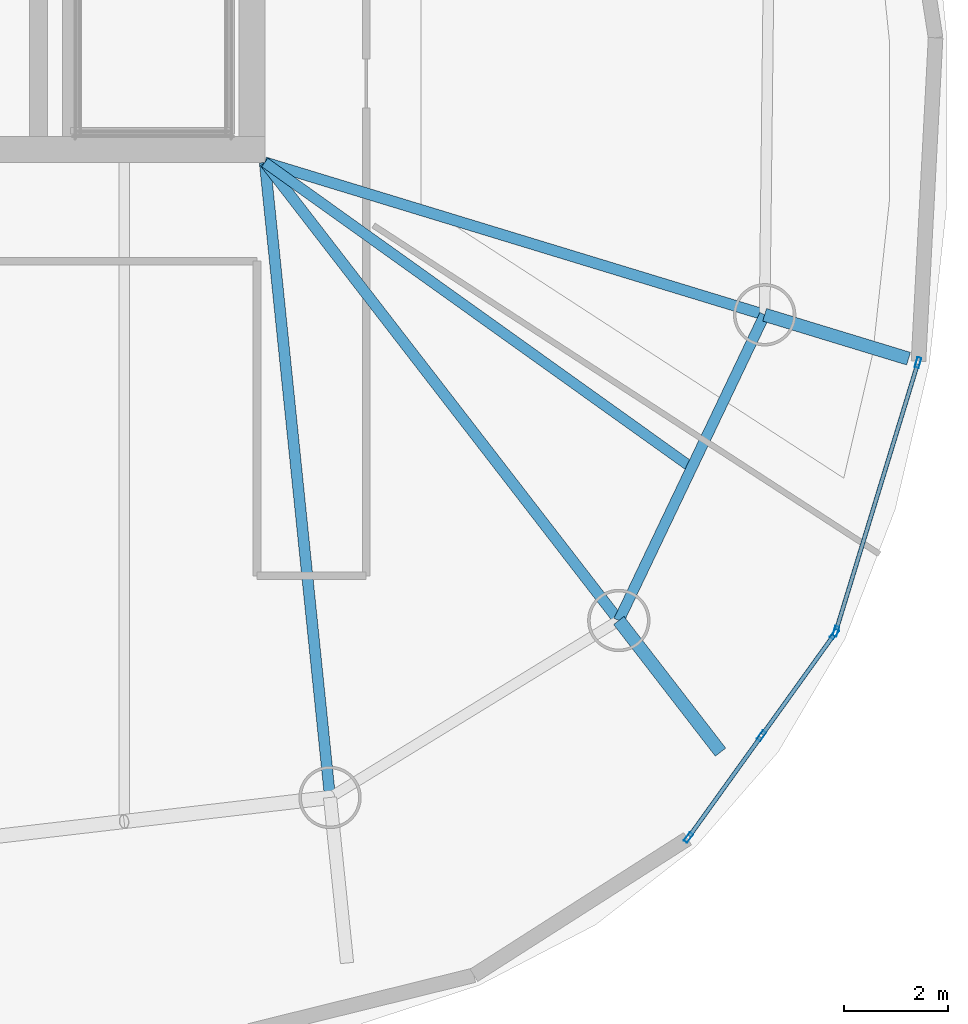
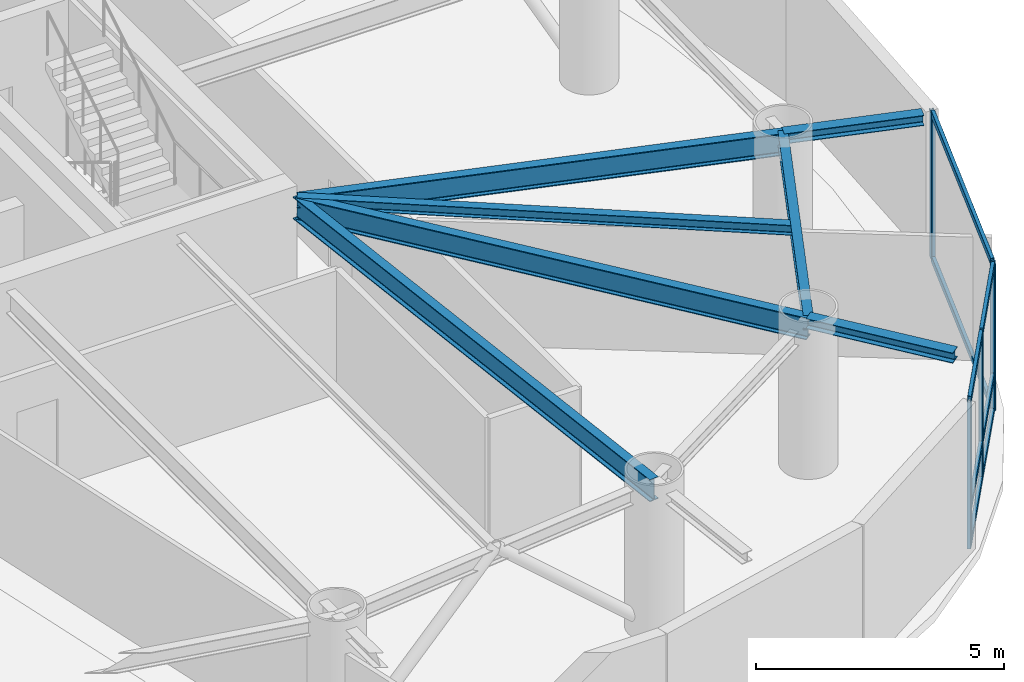
# One storey, part 5 of 19: 13 members, 7 beams, 2 elements without a shape of their own.
"""IFC4 building model written with IfcOpenShell, lengths in metres."""

from ifc_helpers import new_model, si_unit, direction, frame, origin, origin_2d, place, context, subcontext, project, spatial, hollow_rectangle, i_section, extrude, material, layer, layer_set, material_profile, profile_set, type_object, element, aggregate, save


model = new_model("IFC4")

# Units and contexts
model_context = context("Model", 3, precision=1e-05, world=origin(), true_north=direction((0.0, 1.0)))
body_context = subcontext(model_context, "Body", "Model", "MODEL_VIEW")
ifc_project = project(units=[si_unit("LENGTHUNIT", "METRE"), si_unit("AREAUNIT", "SQUARE_METRE"), si_unit("VOLUMEUNIT", "CUBIC_METRE"), si_unit("PLANEANGLEUNIT", "RADIAN"), si_unit("MASSUNIT", "GRAM", prefix="KILO")], contexts=[model_context])

# Site, building, storey
site_placement = place(None, origin())
site = spatial("IfcSite", under=ifc_project, at=site_placement, CompositionType="ELEMENT")
building_placement = place(site_placement, origin())
building = spatial("IfcBuilding", under=site, at=building_placement, Name="Bramvorn Convention Spire", CompositionType="ELEMENT")
storey_placement = place(building_placement, frame((0.0, 0.0, 217.39990234375)))
storey = spatial("IfcBuildingStorey", under=building, at=storey_placement, Name="L55", CompositionType="ELEMENT", Elevation=217.39990234375)

# Beams
ifc_material_1 = material(Name="Steel CSA G40.21 Grade 350 (350W)", Category="steel")
ifc_material_profile_1 = material_profile(ifc_material_1, i_section(OverallWidth=0.201904296875, OverallDepth=0.2470703125, WebThickness=0.00732421875, FlangeThickness=0.010986328125, FilletRadius=0.011962890625, at=origin_2d()))
ifc_profile_set_1 = profile_set([ifc_material_profile_1], Name="Steel CSA G40.21 Grade 350 (350W) - W250X49")
beam_type_1 = type_object("IfcBeamType", Name="BM-W250X49", PredefinedType="JOIST", material=ifc_profile_set_1)
beam_1_placement = place(storey_placement, frame((49.25, 18.550048828125, 3.49658203125), z_axis=(0.813471895271, -0.581604225916, 0.0), x_axis=(0.581604225916, 0.813471895271, 0.0)))
element("IfcBeam", 1, at=beam_1_placement, inside=storey, type_object=beam_type_1, Name="L55 composite floor joist 01", PredefinedType="JOIST", context=body_context, shape_type="SweptSolid", body=[
    extrude(i_section(OverallWidth=0.201904296875, OverallDepth=0.2470703125, WebThickness=0.00732421875, FlangeThickness=0.010986328125, FilletRadius=0.011962890625, at=origin_2d()), origin(), (0.0, 0.0, 1.0), 10.093505859375),
])
ifc_material_profile_2 = material_profile(ifc_material_1, i_section(OverallWidth=0.25390625, OverallDepth=0.2529296875, WebThickness=0.008544921875, FlangeThickness=0.01416015625, FilletRadius=0.011962890625, at=origin_2d()))
ifc_profile_set_2 = profile_set([ifc_material_profile_2], Name="Steel CSA G40.21 Grade 350 (350W) - W250X73")
beam_type_2 = type_object("IfcBeamType", Name="BM-W250X73", PredefinedType="BEAM", material=ifc_profile_set_2)
beam_2_placement = place(storey_placement, frame((56.058349609375, 9.739990234375, 3.49365234375), z_axis=(0.611497441422, -0.791246408607, 0.0), x_axis=(0.791246408607, 0.611497441422, 0.0)))
element("IfcBeam", 2, at=beam_2_placement, inside=storey, type_object=beam_type_2, Name="L55 slab-edge cantilever tip beam MC01", PredefinedType="BEAM", context=body_context, shape_type="SweptSolid", body=[
    extrude(i_section(OverallWidth=0.25390625, OverallDepth=0.2529296875, WebThickness=0.008544921875, FlangeThickness=0.01416015625, FilletRadius=0.011962890625, at=origin_2d()), origin(), (0.0, 0.0, 1.0), 3.199951171875),
])
beam_3_placement = place(storey_placement, frame((58.863037109375, 15.619384765625, 3.49365234375), z_axis=(0.956549140292, -0.291571161479, 0.0), x_axis=(0.291571161479, 0.956549140292, 0.0)))
element("IfcBeam", 3, at=beam_3_placement, inside=storey, type_object=beam_type_2, Name="L55 slab-edge cantilever tip beam MC02", PredefinedType="BEAM", context=body_context, shape_type="SweptSolid", body=[
    extrude(i_section(OverallWidth=0.25390625, OverallDepth=0.2529296875, WebThickness=0.008544921875, FlangeThickness=0.01416015625, FilletRadius=0.011962890625, at=origin_2d()), origin(), (0.0, 0.0, 1.0), 2.893798828125),
])
ifc_material_profile_3 = material_profile(ifc_material_1, i_section(OverallWidth=0.205078125, OverallDepth=0.35400390625, WebThickness=0.009521484375, FlangeThickness=0.016845703125, FilletRadius=0.014892578125, at=origin_2d()))
ifc_profile_set_3 = profile_set([ifc_material_profile_3], Name="Steel CSA G40.21 Grade 350 (350W) - W360X79")
beam_type_3 = type_object("IfcBeamType", Name="BM-W360X79", PredefinedType="JOIST", material=ifc_profile_set_3)
beam_4_placement = place(storey_placement, frame((56.058349609375, 9.739990234375, 3.443115234375), z_axis=(0.430556138422, 0.902563799223, 0.0), x_axis=(-0.902563799223, 0.430556138422, 0.0)))
element("IfcBeam", 4, at=beam_4_placement, inside=storey, type_object=beam_type_3, Name="L55 mega-column ring beam 01", PredefinedType="JOIST", context=body_context, shape_type="SweptSolid", body=[
    extrude(i_section(OverallWidth=0.205078125, OverallDepth=0.35400390625, WebThickness=0.009521484375, FlangeThickness=0.016845703125, FilletRadius=0.014892578125, at=origin_2d()), origin(), (0.0, 0.0, 1.0), 6.51416015625),
])
ifc_material_profile_4 = material_profile(ifc_material_1, i_section(OverallWidth=0.2119140625, OverallDepth=0.5439453125, WebThickness=0.01318359375, FlangeThickness=0.021240234375, FilletRadius=0.01904296875, at=origin_2d()))
ifc_profile_set_4 = profile_set([ifc_material_profile_4], Name="Steel CSA G40.21 Grade 350 (350W) - W530X123")
beam_type_4 = type_object("IfcBeamType", Name="BM-W530X123", PredefinedType="BEAM", material=ifc_profile_set_4)
beam_5_placement = place(storey_placement, frame((49.25, 18.550048828125, 3.34814453125), z_axis=(0.611479951477, -0.791259925019, 0.0), x_axis=(0.791259925019, 0.611479951477, 0.0)))
element("IfcBeam", 5, at=beam_5_placement, inside=storey, type_object=beam_type_4, Name="L55 radial floor girder MC01", PredefinedType="BEAM", context=body_context, shape_type="SweptSolid", body=[
    extrude(i_section(OverallWidth=0.2119140625, OverallDepth=0.5439453125, WebThickness=0.01318359375, FlangeThickness=0.021240234375, FilletRadius=0.01904296875, at=origin_2d()), origin(), (0.0, 0.0, 1.0), 11.13427734375),
])
beam_6_placement = place(storey_placement, frame((49.25, 18.550048828125, 3.34814453125), z_axis=(0.95653637984, -0.291613021044, 0.0), x_axis=(0.291613021044, 0.95653637984, 0.0)))
element("IfcBeam", 6, at=beam_6_placement, inside=storey, type_object=beam_type_4, Name="L55 radial floor girder MC02", PredefinedType="BEAM", context=body_context, shape_type="SweptSolid", body=[
    extrude(i_section(OverallWidth=0.2119140625, OverallDepth=0.5439453125, WebThickness=0.01318359375, FlangeThickness=0.021240234375, FilletRadius=0.01904296875, at=origin_2d()), origin(), (0.0, 0.0, 1.0), 10.0498046875),
])
beam_7_placement = place(storey_placement, frame((49.25, 18.550048828125, 3.34814453125), z_axis=(0.10216509146, -0.994767457292, 0.0), x_axis=(0.994767457292, 0.10216509146, 0.0)))
element("IfcBeam", 7, at=beam_7_placement, inside=storey, type_object=beam_type_4, Name="L55 radial floor girder MC16", PredefinedType="BEAM", context=body_context, shape_type="SweptSolid", body=[
    extrude(i_section(OverallWidth=0.2119140625, OverallDepth=0.5439453125, WebThickness=0.01318359375, FlangeThickness=0.021240234375, FilletRadius=0.01904296875, at=origin_2d()), origin(), (0.0, 0.0, 1.0), 12.278076171875),
])

# Curtain wall, members
ifc_material_2 = material(Name="Anodised Bronze Unitised Curtain Wall", Category="aluminium")
ifc_layer = layer(ifc_material_2, 0.179931640625)
ifc_layer_set = layer_set([ifc_layer], Name="Anodised Bronze Unitised Curtain Wall - CW-OFF-FRIT")
curtain_wall_type = type_object("IfcCurtainWallType", Name="CW-OFF-FRIT", PredefinedType="USERDEFINED", material=ifc_layer_set)
curtain_wall_1_placement = place(storey_placement, origin())
curtain_wall_1 = element("IfcCurtainWall", 8, at=curtain_wall_1_placement, inside=storey, type_object=curtain_wall_type, Name="L55 fritted glass curtain wall 01", ObjectType="UNITISED CURTAIN WALL", PredefinedType="USERDEFINED")
ifc_material_3 = material(Name="Anodised Bronze Aluminium 6063-T6", Category="aluminium")
ifc_material_profile_5 = material_profile(ifc_material_3, hollow_rectangle(XDim=0.080078125, YDim=0.199951171875, WallThickness=0.00390625, InnerFilletRadius=0.0009765625, OuterFilletRadius=0.00390625, at=origin_2d()))
ifc_profile_set_5 = profile_set([ifc_material_profile_5], Name="Anodised Bronze Aluminium 6063-T6 - CWM80X200")
member_type_1 = type_object("IfcMemberType", Name="CW-MUL-180", PredefinedType="MULLION", material=ifc_profile_set_5)
member_1_placement = place(storey_placement, frame((60.206787109375, 9.478515625, 0.0), z_axis=(0.0, 0.0, 1.0), x_axis=(0.812260702788, -0.583294565984, 0.0)))
member_1 = element("IfcMember", 9, at=member_1_placement, type_object=member_type_1, Name="CW3 mullion 1", PredefinedType="MULLION", context=body_context, shape_type="SweptSolid", body=[
    extrude(hollow_rectangle(XDim=0.080078125, YDim=0.199951171875, WallThickness=0.00390625, InnerFilletRadius=0.0009765625, OuterFilletRadius=0.00390625, at=origin_2d()), origin(), (0.0, 0.0, 1.0), 3.6201171875),
])
member_2_placement = place(storey_placement, frame((58.80224609375, 7.5224609375, 0.0), z_axis=(0.0, 0.0, 1.0), x_axis=(0.812260702788, -0.583294565984, 0.0)))
member_2 = element("IfcMember", 10, at=member_2_placement, type_object=member_type_1, Name="CW3 mullion 2", PredefinedType="MULLION", context=body_context, shape_type="SweptSolid", body=[
    extrude(hollow_rectangle(XDim=0.080078125, YDim=0.199951171875, WallThickness=0.00390625, InnerFilletRadius=0.0009765625, OuterFilletRadius=0.00390625, at=origin_2d()), origin(), (0.0, 0.0, 1.0), 3.6201171875),
])
member_3_placement = place(storey_placement, frame((57.3974609375, 5.56640625, 0.0), z_axis=(0.0, 0.0, 1.0), x_axis=(0.812260702788, -0.583294565984, 0.0)))
member_3 = element("IfcMember", 11, at=member_3_placement, type_object=member_type_1, Name="CW3 mullion 3", PredefinedType="MULLION", context=body_context, shape_type="SweptSolid", body=[
    extrude(hollow_rectangle(XDim=0.080078125, YDim=0.199951171875, WallThickness=0.00390625, InnerFilletRadius=0.0009765625, OuterFilletRadius=0.00390625, at=origin_2d()), origin(), (0.0, 0.0, 1.0), 3.6201171875),
])

curtain_wall_2_placement = place(storey_placement, origin())
curtain_wall_2 = element("IfcCurtainWall", 12, at=curtain_wall_2_placement, inside=storey, type_object=curtain_wall_type, Name="L55 fritted glass curtain wall 02", ObjectType="UNITISED CURTAIN WALL", PredefinedType="USERDEFINED")
member_4_placement = place(storey_placement, frame((61.81298828125, 14.699951171875, 0.0), z_axis=(0.0, 0.0, 1.0), x_axis=(0.956321023375, -0.29231849112, 0.0)))
member_4 = element("IfcMember", 13, at=member_4_placement, type_object=member_type_1, Name="CW3 mullion 1", PredefinedType="MULLION", context=body_context, shape_type="SweptSolid", body=[
    extrude(hollow_rectangle(XDim=0.080078125, YDim=0.199951171875, WallThickness=0.00390625, InnerFilletRadius=0.0009765625, OuterFilletRadius=0.00390625, at=origin_2d()), origin(), (0.0, 0.0, 1.0), 3.6201171875),
])
member_5_placement = place(storey_placement, frame((60.233154296875, 9.531494140625, 0.0), z_axis=(0.0, 0.0, 1.0), x_axis=(0.956321023375, -0.29231849112, 0.0)))
member_5 = element("IfcMember", 14, at=member_5_placement, type_object=member_type_1, Name="CW3 mullion 2", PredefinedType="MULLION", context=body_context, shape_type="SweptSolid", body=[
    extrude(hollow_rectangle(XDim=0.080078125, YDim=0.199951171875, WallThickness=0.00390625, InnerFilletRadius=0.0009765625, OuterFilletRadius=0.00390625, at=origin_2d()), origin(), (0.0, 0.0, 1.0), 3.6201171875),
])

# Member
ifc_material_profile_6 = material_profile(ifc_material_3, hollow_rectangle(XDim=0.080078125, YDim=0.159912109375, WallThickness=0.00390625, InnerFilletRadius=0.0009765625, OuterFilletRadius=0.00390625, at=origin_2d()))
ifc_profile_set_6 = profile_set([ifc_material_profile_6], Name="Anodised Bronze Aluminium 6063-T6 - CWT80X160")
member_type_2 = type_object("IfcMemberType", Name="CW-TRN-150", PredefinedType="USERDEFINED", material=ifc_profile_set_6)
member_6_placement = place(storey_placement, frame((60.189208984375, 9.4541015625, 0.030029296875), z_axis=(-0.58330177785, -0.812255523808, 0.0), x_axis=(0.812255523808, -0.58330177785, 0.0)))
member_6 = element("IfcMember", 15, at=member_6_placement, type_object=member_type_2, Name="CW3 transom 1.1", ObjectType="TRANSOM", PredefinedType="USERDEFINED", context=body_context, shape_type="SweptSolid", body=[
    extrude(hollow_rectangle(XDim=0.080078125, YDim=0.159912109375, WallThickness=0.00390625, InnerFilletRadius=0.0009765625, OuterFilletRadius=0.00390625, at=origin_2d()), origin(), (0.0, 0.0, 1.0), 2.34814453125),
])

member_7_placement = place(storey_placement, frame((60.189208984375, 9.4541015625, 0.900146484375), z_axis=(-0.58330177785, -0.812255523808, 0.0), x_axis=(0.812255523808, -0.58330177785, 0.0)))
member_7 = element("IfcMember", 16, at=member_7_placement, type_object=member_type_2, Name="CW3 transom 1.2", ObjectType="TRANSOM", PredefinedType="USERDEFINED", context=body_context, shape_type="SweptSolid", body=[
    extrude(hollow_rectangle(XDim=0.080078125, YDim=0.159912109375, WallThickness=0.00390625, InnerFilletRadius=0.0009765625, OuterFilletRadius=0.00390625, at=origin_2d()), origin(), (0.0, 0.0, 1.0), 2.34814453125),
])

member_8_placement = place(storey_placement, frame((60.189208984375, 9.4541015625, 3.590087890625), z_axis=(-0.58330177785, -0.812255523808, 0.0), x_axis=(0.812255523808, -0.58330177785, 0.0)))
member_8 = element("IfcMember", 17, at=member_8_placement, type_object=member_type_2, Name="CW3 transom 1.3", ObjectType="TRANSOM", PredefinedType="USERDEFINED", context=body_context, shape_type="SweptSolid", body=[
    extrude(hollow_rectangle(XDim=0.080078125, YDim=0.159912109375, WallThickness=0.00390625, InnerFilletRadius=0.0009765625, OuterFilletRadius=0.00390625, at=origin_2d()), origin(), (0.0, 0.0, 1.0), 2.34814453125),
])

member_9_placement = place(storey_placement, frame((58.78466796875, 7.498046875, 0.030029296875), z_axis=(-0.58330177785, -0.812255523808, 0.0), x_axis=(0.812255523808, -0.58330177785, 0.0)))
member_9 = element("IfcMember", 18, at=member_9_placement, type_object=member_type_2, Name="CW3 transom 2.1", ObjectType="TRANSOM", PredefinedType="USERDEFINED", context=body_context, shape_type="SweptSolid", body=[
    extrude(hollow_rectangle(XDim=0.080078125, YDim=0.159912109375, WallThickness=0.00390625, InnerFilletRadius=0.0009765625, OuterFilletRadius=0.00390625, at=origin_2d()), origin(), (0.0, 0.0, 1.0), 2.34814453125),
])

member_10_placement = place(storey_placement, frame((58.78466796875, 7.498046875, 0.900146484375), z_axis=(-0.58330177785, -0.812255523808, 0.0), x_axis=(0.812255523808, -0.58330177785, 0.0)))
member_10 = element("IfcMember", 19, at=member_10_placement, type_object=member_type_2, Name="CW3 transom 2.2", ObjectType="TRANSOM", PredefinedType="USERDEFINED", context=body_context, shape_type="SweptSolid", body=[
    extrude(hollow_rectangle(XDim=0.080078125, YDim=0.159912109375, WallThickness=0.00390625, InnerFilletRadius=0.0009765625, OuterFilletRadius=0.00390625, at=origin_2d()), origin(), (0.0, 0.0, 1.0), 2.34814453125),
])

member_11_placement = place(storey_placement, frame((58.78466796875, 7.498046875, 3.590087890625), z_axis=(-0.58330177785, -0.812255523808, 0.0), x_axis=(0.812255523808, -0.58330177785, 0.0)))
member_11 = element("IfcMember", 20, at=member_11_placement, type_object=member_type_2, Name="CW3 transom 2.3", ObjectType="TRANSOM", PredefinedType="USERDEFINED", context=body_context, shape_type="SweptSolid", body=[
    extrude(hollow_rectangle(XDim=0.080078125, YDim=0.159912109375, WallThickness=0.00390625, InnerFilletRadius=0.0009765625, OuterFilletRadius=0.00390625, at=origin_2d()), origin(), (0.0, 0.0, 1.0), 2.34814453125),
])

aggregate(curtain_wall_1, [member_1, member_2, member_3, member_6, member_7, member_8, member_9, member_10, member_11])

member_12_placement = place(storey_placement, frame((61.80419921875, 14.67138671875, 0.030029296875), z_axis=(-0.292297448681, -0.956327455161, 0.0), x_axis=(0.956327455161, -0.292297448681, 0.0)))
member_12 = element("IfcMember", 21, at=member_12_placement, type_object=member_type_2, Name="CW3 transom 1.1", ObjectType="TRANSOM", PredefinedType="USERDEFINED", context=body_context, shape_type="SweptSolid", body=[
    extrude(hollow_rectangle(XDim=0.080078125, YDim=0.159912109375, WallThickness=0.00390625, InnerFilletRadius=0.0009765625, OuterFilletRadius=0.00390625, at=origin_2d()), origin(), (0.0, 0.0, 1.0), 5.3447265625),
])

member_13_placement = place(storey_placement, frame((61.80419921875, 14.67138671875, 3.590087890625), z_axis=(-0.292297448681, -0.956327455161, 0.0), x_axis=(0.956327455161, -0.292297448681, 0.0)))
member_13 = element("IfcMember", 22, at=member_13_placement, type_object=member_type_2, Name="CW3 transom 1.2", ObjectType="TRANSOM", PredefinedType="USERDEFINED", context=body_context, shape_type="SweptSolid", body=[
    extrude(hollow_rectangle(XDim=0.080078125, YDim=0.159912109375, WallThickness=0.00390625, InnerFilletRadius=0.0009765625, OuterFilletRadius=0.00390625, at=origin_2d()), origin(), (0.0, 0.0, 1.0), 5.3447265625),
])

aggregate(curtain_wall_2, [member_4, member_5, member_12, member_13])

save(model, "model.ifc")
